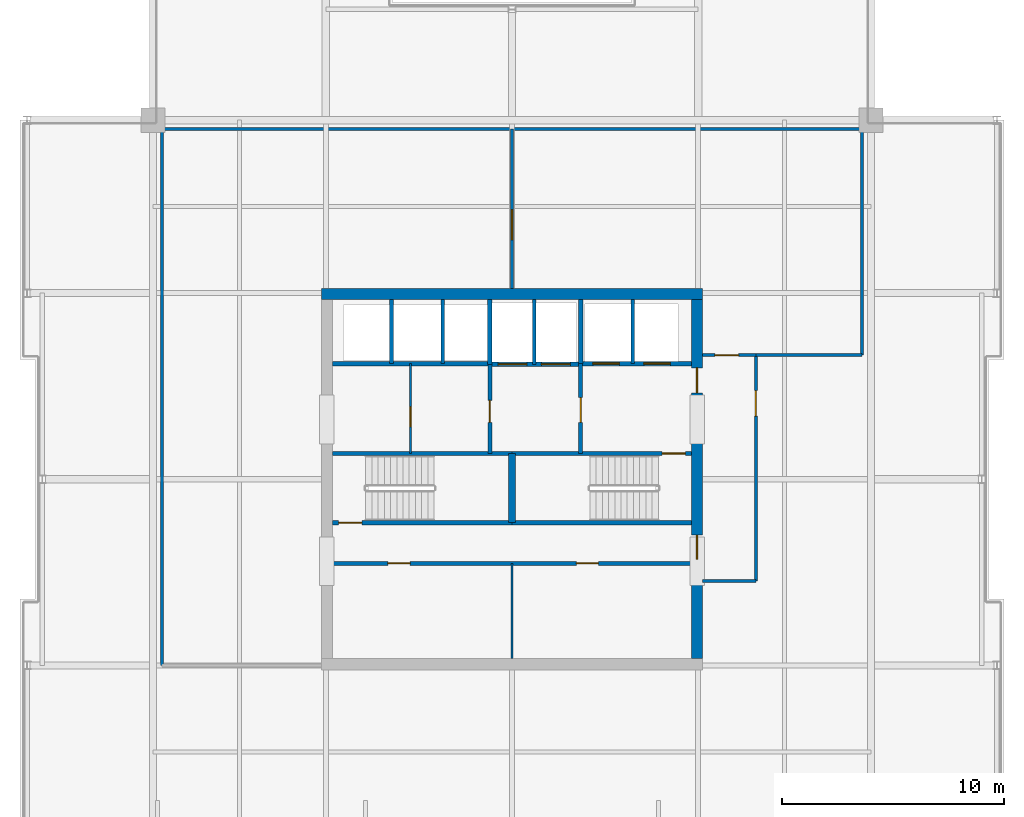
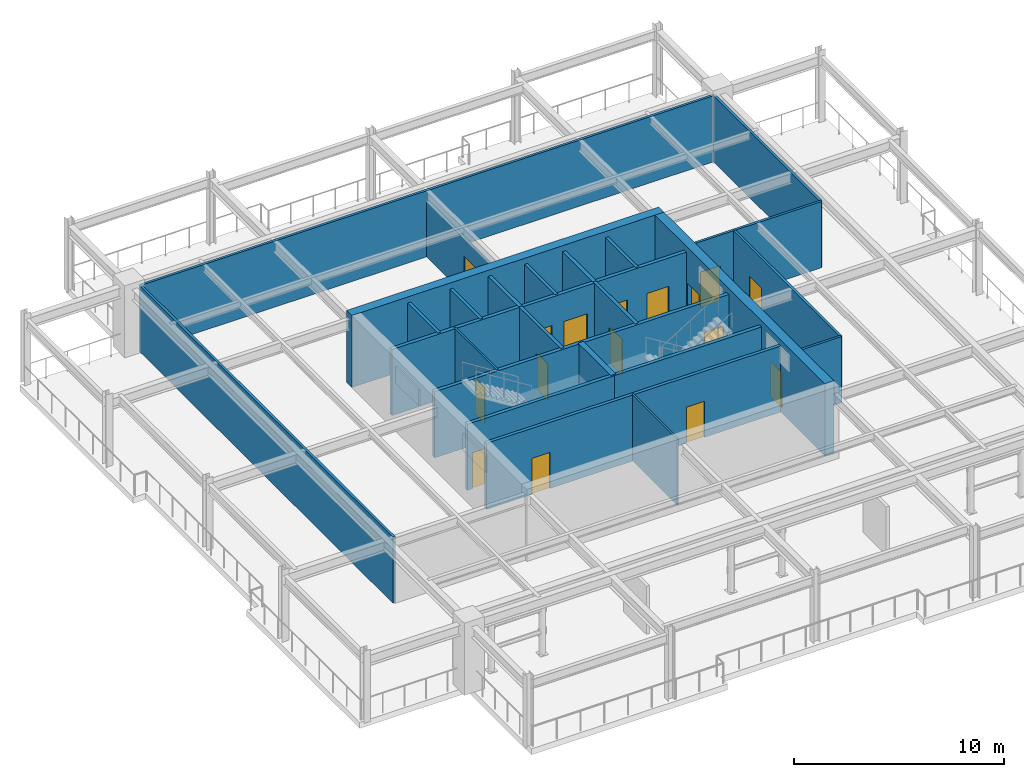
# One storey, part 9 of 13: 29 walls, 16 doors, 16 openings.
"""IFC4 building model written with IfcOpenShell, lengths in metres."""

from ifc_helpers import new_model, si_unit, direction, frame, frame_2d, origin, place, context, subcontext, project, spatial, rectangle, extrude, material, layer, layer_set, type_object, element, fill, save


model = new_model("IFC4")

# Units and contexts
model_context = context("Model", 3, precision=1e-05, world=origin(), true_north=direction((0.0, 1.0)))
body_context = subcontext(model_context, "Body", "Model", "MODEL_VIEW")
ifc_project = project(units=[si_unit("LENGTHUNIT", "METRE"), si_unit("AREAUNIT", "SQUARE_METRE"), si_unit("VOLUMEUNIT", "CUBIC_METRE"), si_unit("PLANEANGLEUNIT", "RADIAN"), si_unit("MASSUNIT", "GRAM", prefix="KILO")], contexts=[model_context])

# Site, building, storey
site_placement = place(None, origin())
site = spatial("IfcSite", under=ifc_project, at=site_placement, CompositionType="ELEMENT")
building_placement = place(site_placement, origin())
building = spatial("IfcBuilding", under=site, at=building_placement, Name="Drelvath Grand Hotel", CompositionType="ELEMENT")
storey_placement = place(building_placement, frame((0.0, 0.0, 303.0)))
storey = spatial("IfcBuildingStorey", under=building, at=storey_placement, Name="L79", CompositionType="ELEMENT", Elevation=303.0)

# Wall, opening, door
ifc_material_1 = material(Name="Gypsum Partition Board")
ifc_layer_1 = layer(ifc_material_1, 0.10009765625)
ifc_layer_set_1 = layer_set([ifc_layer_1], Name="Gypsum Partition Board")
wall_type_1 = type_object("IfcWallType", Name="Core Closet Partition 100", PredefinedType="PARTITIONING", material=ifc_layer_set_1)
wall_1_placement = place(storey_placement, frame((-4.580078125, 28.159912109375, 0.0), z_axis=(0.0, 0.0, 1.0), x_axis=(0.0, 1.0, 0.0)))
wall_1 = element("IfcWall", 1, at=wall_1_placement, inside=storey, type_object=wall_type_1, Name="L79 Core Closet Divider", PredefinedType="PARTITIONING", context=body_context, shape_type="SweptSolid", body=[
    extrude(rectangle(XDim=4.06005859375, YDim=0.10009765625, at=frame_2d((2.030029296875, 0.0))), origin(), (0.0, 0.0, 1.0), 3.85009765625),
])
opening_1_placement = place(wall_1_placement, frame((1.199951171875, 0.0, 0.0)))
opening_1 = element("IfcOpeningElement", 2, at=opening_1_placement, cuts=wall_1, Name="Opening D-L79-010", PredefinedType="OPENING", context=body_context, shape_type="SweptSolid", body=[
    extrude(rectangle(XDim=0.919921875, YDim=2.10009765625, at=frame_2d((0.4599609375, 1.050048828125))), frame((0.0, 0.06005859375, 0.0), z_axis=(0.0, -1.0, 0.0), x_axis=(1.0, 0.0, 0.0)), (0.0, 0.0, 1.0), 0.1201171875),
])
ifc_material_2 = material(Name="Painted Steel S275", Category="steel")
door_type_1 = type_object("IfcDoorType", Name="Staff Utility Door 920x2100", OperationType="NOTDEFINED", PredefinedType="DOOR", material=ifc_material_2)
door_1_placement = place(opening_1_placement, origin())
door_1 = element("IfcDoor", 3, at=door_1_placement, inside=storey, type_object=door_type_1, Name="L79 Electrical Closet Door", OperationType="SINGLE_SWING_RIGHT", OverallHeight=2.10009765625, OverallWidth=0.919921875, PredefinedType="DOOR", context=body_context, shape_type="SweptSolid", body=[
    extrude(rectangle(XDim=0.919921875, YDim=2.10009765625, at=frame_2d((0.4599609375, 1.050048828125))), frame((0.0, 0.02490234375, 0.0), z_axis=(0.0, -1.0, 0.0), x_axis=(1.0, 0.0, 0.0)), (0.0, 0.0, 1.0), 0.050048828125),
])
fill(opening_1, door_1)

# Wall
wall_2_placement = place(storey_placement, frame((0.0, 18.89990234375, 0.0), z_axis=(0.0, 0.0, 1.0), x_axis=(0.0, 1.0, 0.0)))
element("IfcWall", 4, at=wall_2_placement, inside=storey, type_object=wall_type_1, Name="L79 Crown Core Split", PredefinedType="PARTITIONING", context=body_context, shape_type="SweptSolid", body=[
    extrude(rectangle(XDim=4.300048828125, YDim=0.10009765625, at=frame_2d((2.14990234375, 0.0))), origin(), (0.0, 0.0, 1.0), 3.85009765625),
])

# Wall, openings, doors
ifc_material_3 = material(Name="Concrete C40/50", Category="concrete")
ifc_layer_2 = layer(ifc_material_3, 0.199951171875)
ifc_layer_set_2 = layer_set([ifc_layer_2], Name="Concrete C40/50")
wall_type_2 = type_object("IfcWallType", Name="Core Hoistway Fire Wall 200", PredefinedType="SOLIDWALL", material=ifc_layer_set_2)
wall_3_placement = place(storey_placement, frame((3.10009765625, 32.219970703125, 0.0), z_axis=(0.0, 0.0, 1.0), x_axis=(1.0, 0.0, 0.0)))
wall_3 = element("IfcWall", 5, at=wall_3_placement, inside=storey, type_object=wall_type_2, Name="L79 FSAE Hoistway Front Wall", PredefinedType="SOLIDWALL", context=body_context, shape_type="SweptSolid", body=[
    extrude(rectangle(XDim=5.0, YDim=0.199951171875, at=frame_2d((2.5, 0.0))), origin(), (0.0, 0.0, 1.0), 3.85009765625),
])
opening_2_placement = place(wall_3_placement, frame((0.550048828125, 0.0, 0.0)))
opening_2 = element("IfcOpeningElement", 6, at=opening_2_placement, cuts=wall_3, Name="Opening LD-FSAE-1", PredefinedType="OPENING", context=body_context, shape_type="SweptSolid", body=[
    extrude(rectangle(XDim=1.199951171875, YDim=2.199951171875, at=frame_2d((0.60009765625, 1.10009765625))), frame((0.0, 0.10986328125, 0.0), z_axis=(0.0, -1.0, 0.0), x_axis=(1.0, 0.0, 0.0)), (0.0, 0.0, 1.0), 0.219970703125),
])
opening_3_placement = place(wall_3_placement, frame((2.85009765625, 0.0, 0.0)))
opening_3 = element("IfcOpeningElement", 7, at=opening_3_placement, cuts=wall_3, Name="Opening LD-FSAE-2", PredefinedType="OPENING", context=body_context, shape_type="SweptSolid", body=[
    extrude(rectangle(XDim=1.199951171875, YDim=2.199951171875, at=frame_2d((0.60009765625, 1.10009765625))), frame((0.0, 0.10986328125, 0.0), z_axis=(0.0, -1.0, 0.0), x_axis=(1.0, 0.0, 0.0)), (0.0, 0.0, 1.0), 0.219970703125),
])
ifc_material_4 = material(Name="Stainless Steel S355", Category="steel")
door_type_2 = type_object("IfcDoorType", Name="FSAE Lift Sliding Landing Door 1200x2200", OperationType="NOTDEFINED", PredefinedType="DOOR", material=ifc_material_4)
door_2_placement = place(opening_2_placement, origin())
door_2 = element("IfcDoor", 8, at=door_2_placement, inside=storey, type_object=door_type_2, Name="L79 Lift FSAE-1 Landing Door", OperationType="SLIDING_TO_LEFT", OverallHeight=2.199951171875, OverallWidth=1.199951171875, PredefinedType="DOOR", context=body_context, shape_type="SweptSolid", body=[
    extrude(rectangle(XDim=1.199951171875, YDim=2.199951171875, at=frame_2d((0.60009765625, 1.10009765625))), frame((0.0, 0.02490234375, 0.0), z_axis=(0.0, -1.0, 0.0), x_axis=(1.0, 0.0, 0.0)), (0.0, 0.0, 1.0), 0.050048828125),
])
fill(opening_2, door_2)
door_3_placement = place(opening_3_placement, origin())
door_3 = element("IfcDoor", 9, at=door_3_placement, inside=storey, type_object=door_type_2, Name="L79 Lift FSAE-2 Landing Door", OperationType="SLIDING_TO_LEFT", OverallHeight=2.199951171875, OverallWidth=1.199951171875, PredefinedType="DOOR", context=body_context, shape_type="SweptSolid", body=[
    extrude(rectangle(XDim=1.199951171875, YDim=2.199951171875, at=frame_2d((0.60009765625, 1.10009765625))), frame((0.0, 0.02490234375, 0.0), z_axis=(0.0, -1.0, 0.0), x_axis=(1.0, 0.0, 0.0)), (0.0, 0.0, 1.0), 0.050048828125),
])
fill(opening_3, door_3)

# Wall
wall_4_placement = place(storey_placement, frame((3.10009765625, 32.219970703125, 0.0), z_axis=(0.0, 0.0, 1.0), x_axis=(0.0, 1.0, 0.0)))
element("IfcWall", 10, at=wall_4_placement, inside=storey, type_object=wall_type_2, Name="L79 FSAE Hoistway West Wall", PredefinedType="SOLIDWALL", context=body_context, shape_type="SweptSolid", body=[
    extrude(rectangle(XDim=2.880126953125, YDim=0.199951171875, at=frame_2d((1.43994140625, 0.0))), origin(), (0.0, 0.0, 1.0), 3.85009765625),
])

# Wall, openings, doors
wall_5_placement = place(storey_placement, frame((-1.0, 32.179931640625, 0.0), z_axis=(0.0, 0.0, 1.0), x_axis=(1.0, 0.0, 0.0)))
wall_5 = element("IfcWall", 11, at=wall_5_placement, inside=storey, type_object=wall_type_2, Name="L79 Service Lift Hoistway Wall", PredefinedType="SOLIDWALL", context=body_context, shape_type="SweptSolid", body=[
    extrude(rectangle(XDim=4.10009765625, YDim=0.199951171875, at=frame_2d((2.050048828125, 0.0))), origin(), (0.0, 0.0, 1.0), 3.85009765625),
])
opening_4_placement = place(wall_5_placement, frame((0.3701171875, 0.0, 0.0)))
opening_4 = element("IfcOpeningElement", 12, at=opening_4_placement, cuts=wall_5, Name="Opening LD-SV-2", PredefinedType="OPENING", context=body_context, shape_type="SweptSolid", body=[
    extrude(rectangle(XDim=1.300048828125, YDim=2.199951171875, at=frame_2d((0.64990234375, 1.10009765625))), frame((0.0, 0.10986328125, 0.0), z_axis=(0.0, -1.0, 0.0), x_axis=(1.0, 0.0, 0.0)), (0.0, 0.0, 1.0), 0.219970703125),
])
opening_5_placement = place(wall_5_placement, frame((2.330078125, 0.0, 0.0)))
opening_5 = element("IfcOpeningElement", 13, at=opening_5_placement, cuts=wall_5, Name="Opening LD-SV-1", PredefinedType="OPENING", context=body_context, shape_type="SweptSolid", body=[
    extrude(rectangle(XDim=1.300048828125, YDim=2.199951171875, at=frame_2d((0.64990234375, 1.10009765625))), frame((0.0, 0.10986328125, 0.0), z_axis=(0.0, -1.0, 0.0), x_axis=(1.0, 0.0, 0.0)), (0.0, 0.0, 1.0), 0.219970703125),
])
door_type_3 = type_object("IfcDoorType", Name="Service Lift Sliding Landing Door 1300x2200", OperationType="NOTDEFINED", PredefinedType="DOOR", material=ifc_material_4)
door_4_placement = place(opening_4_placement, origin())
door_4 = element("IfcDoor", 14, at=door_4_placement, inside=storey, type_object=door_type_3, Name="L79 Lift SV-2 Landing Door", OperationType="SLIDING_TO_LEFT", OverallHeight=2.199951171875, OverallWidth=1.300048828125, PredefinedType="DOOR", context=body_context, shape_type="SweptSolid", body=[
    extrude(rectangle(XDim=1.300048828125, YDim=2.199951171875, at=frame_2d((0.64990234375, 1.10009765625))), frame((0.0, 0.02490234375, 0.0), z_axis=(0.0, -1.0, 0.0), x_axis=(1.0, 0.0, 0.0)), (0.0, 0.0, 1.0), 0.050048828125),
])
fill(opening_4, door_4)
door_5_placement = place(opening_5_placement, origin())
door_5 = element("IfcDoor", 15, at=door_5_placement, inside=storey, type_object=door_type_3, Name="L79 Lift SV-1 Landing Door", OperationType="SLIDING_TO_LEFT", OverallHeight=2.199951171875, OverallWidth=1.300048828125, PredefinedType="DOOR", context=body_context, shape_type="SweptSolid", body=[
    extrude(rectangle(XDim=1.300048828125, YDim=2.199951171875, at=frame_2d((0.64990234375, 1.10009765625))), frame((0.0, 0.02490234375, 0.0), z_axis=(0.0, -1.0, 0.0), x_axis=(1.0, 0.0, 0.0)), (0.0, 0.0, 1.0), 0.050048828125),
])
fill(opening_5, door_5)

# Walls
wall_6_placement = place(storey_placement, frame((-1.0, 32.179931640625, 0.0), z_axis=(0.0, 0.0, 1.0), x_axis=(0.0, 1.0, 0.0)))
element("IfcWall", 16, at=wall_6_placement, inside=storey, type_object=wall_type_2, Name="L79 Service Lift West Wall", PredefinedType="SOLIDWALL", context=body_context, shape_type="SweptSolid", body=[
    extrude(rectangle(XDim=2.920166015625, YDim=0.199951171875, at=frame_2d((1.4599609375, 0.0))), origin(), (0.0, 0.0, 1.0), 3.85009765625),
])
wall_7_placement = place(storey_placement, frame((-8.10009765625, 32.219970703125, 0.0), z_axis=(0.0, 0.0, 1.0), x_axis=(1.0, 0.0, 0.0)))
element("IfcWall", 17, at=wall_7_placement, inside=storey, type_object=wall_type_2, Name="L79 Bank 3 Hoistway Wall", PredefinedType="SOLIDWALL", context=body_context, shape_type="SweptSolid", body=[
    extrude(rectangle(XDim=7.10009765625, YDim=0.199951171875, at=frame_2d((3.550048828125, 0.0))), origin(), (0.0, 0.0, 1.0), 3.85009765625),
])

# Wall, opening, door
ifc_layer_3 = layer(ifc_material_3, 0.199951171875)
ifc_layer_set_3 = layer_set([ifc_layer_3], Name="Concrete C40/50")
wall_type_3 = type_object("IfcWallType", Name="Core Shaft Fire Wall 200", PredefinedType="SOLIDWALL", material=ifc_layer_set_3)
wall_8_placement = place(storey_placement, frame((-8.10009765625, 25.0400390625, 0.0), z_axis=(0.0, 0.0, 1.0), x_axis=(1.0, 0.0, 0.0)))
wall_8 = element("IfcWall", 18, at=wall_8_placement, inside=storey, type_object=wall_type_3, Name="L79 Stair ST-1 South Wall", PredefinedType="SOLIDWALL", context=body_context, shape_type="SweptSolid", body=[
    extrude(rectangle(XDim=8.10009765625, YDim=0.199951171875, at=frame_2d((4.050048828125, 0.0))), origin(), (0.0, 0.0, 1.0), 3.85009765625),
])
opening_6_placement = place(wall_8_placement, frame((0.280029296875, 0.0, 0.0)))
opening_6 = element("IfcOpeningElement", 19, at=opening_6_placement, cuts=wall_8, Name="Opening D-L79-001", PredefinedType="OPENING", context=body_context, shape_type="SweptSolid", body=[
    extrude(rectangle(XDim=1.050048828125, YDim=2.10009765625, at=frame_2d((0.52490234375, 1.050048828125))), frame((0.0, 0.10986328125, 0.0), z_axis=(0.0, -1.0, 0.0), x_axis=(1.0, 0.0, 0.0)), (0.0, 0.0, 1.0), 0.219970703125),
])
door_type_4 = type_object("IfcDoorType", Name="Tower Stairwell Fire Door 1050x2100", OperationType="NOTDEFINED", PredefinedType="DOOR", material=ifc_material_2)
door_6_placement = place(opening_6_placement, origin())
door_6 = element("IfcDoor", 20, at=door_6_placement, inside=storey, type_object=door_type_4, Name="L79 Exit Stair ST-1 Door", OperationType="SINGLE_SWING_LEFT", OverallHeight=2.10009765625, OverallWidth=1.050048828125, PredefinedType="DOOR", context=body_context, shape_type="SweptSolid", body=[
    extrude(rectangle(XDim=1.050048828125, YDim=2.10009765625, at=frame_2d((0.52490234375, 1.050048828125))), frame((0.0, 0.02490234375, 0.0), z_axis=(0.0, -1.0, 0.0), x_axis=(1.0, 0.0, 0.0)), (0.0, 0.0, 1.0), 0.050048828125),
])
fill(opening_6, door_6)

# Walls
for number, where, z_axis, x_axis, name in (
    (21, (-8.10009765625, 28.159912109375, 0.0), (0.0, 0.0, 1.0), (1.0, 0.0, 0.0), "L79 Stair ST-1 North Wall"),
    (22, (0.0, 25.0400390625, 0.0), (0.0, 0.0, 1.0), (1.0, 0.0, 0.0), "L79 Stair ST-2 South Wall"),
):
    element("IfcWall", number, at=place(storey_placement, frame(where, z_axis=z_axis, x_axis=x_axis)), inside=storey, type_object=wall_type_3, Name=name, PredefinedType="SOLIDWALL", context=body_context, shape_type="SweptSolid", body=[
        extrude(rectangle(XDim=8.10009765625, YDim=0.199951171875, at=frame_2d((4.050048828125, 0.0))), origin(), (0.0, 0.0, 1.0), 3.85009765625),
    ])

# Wall, opening, door
wall_9_placement = place(storey_placement, frame((8.10009765625, 28.159912109375, 0.0), z_axis=(0.0, 0.0, 1.0), x_axis=(-1.0, 0.0, 0.0)))
wall_9 = element("IfcWall", 23, at=wall_9_placement, inside=storey, type_object=wall_type_3, Name="L79 Stair ST-2 North Wall", PredefinedType="SOLIDWALL", context=body_context, shape_type="SweptSolid", body=[
    extrude(rectangle(XDim=8.10009765625, YDim=0.199951171875, at=frame_2d((4.050048828125, 0.0))), origin(), (0.0, 0.0, 1.0), 3.85009765625),
])
opening_7_placement = place(wall_9_placement, frame((0.280029296875, 0.0, 0.0)))
opening_7 = element("IfcOpeningElement", 24, at=opening_7_placement, cuts=wall_9, Name="Opening D-L79-002", PredefinedType="OPENING", context=body_context, shape_type="SweptSolid", body=[
    extrude(rectangle(XDim=1.050048828125, YDim=2.10009765625, at=frame_2d((0.52490234375, 1.050048828125))), frame((0.0, 0.10986328125, 0.0), z_axis=(0.0, -1.0, 0.0), x_axis=(1.0, 0.0, 0.0)), (0.0, 0.0, 1.0), 0.219970703125),
])
door_7_placement = place(opening_7_placement, origin())
door_7 = element("IfcDoor", 25, at=door_7_placement, inside=storey, type_object=door_type_4, Name="L79 Exit Stair ST-2 Door", OperationType="SINGLE_SWING_LEFT", OverallHeight=2.10009765625, OverallWidth=1.050048828125, PredefinedType="DOOR", context=body_context, shape_type="SweptSolid", body=[
    extrude(rectangle(XDim=1.050048828125, YDim=2.10009765625, at=frame_2d((0.52490234375, 1.050048828125))), frame((0.0, 0.02490234375, 0.0), z_axis=(0.0, -1.0, 0.0), x_axis=(1.0, 0.0, 0.0)), (0.0, 0.0, 1.0), 0.050048828125),
])
fill(opening_7, door_7)

# Walls
ifc_layer_4 = layer(ifc_material_3, 0.300048828125)
ifc_layer_set_4 = layer_set([ifc_layer_4], Name="Concrete C40/50")
wall_type_4 = type_object("IfcWallType", Name="Core Shaft Fire Wall 300", PredefinedType="SOLIDWALL", material=ifc_layer_set_4)
wall_10_placement = place(storey_placement, frame((0.0, 25.0400390625, 0.0), z_axis=(0.0, 0.0, 1.0), x_axis=(0.0, 1.0, 0.0)))
element("IfcWall", 26, at=wall_10_placement, inside=storey, type_object=wall_type_4, Name="L79 Core Stair Divider Wall", PredefinedType="SOLIDWALL", context=body_context, shape_type="SweptSolid", body=[
    extrude(rectangle(XDim=3.119873046875, YDim=0.300048828125, at=frame_2d((1.56005859375, 0.0))), origin(), (0.0, 0.0, 1.0), 3.85009765625),
])
ifc_material_5 = material(Name="Gypsum Fireboard Partition")
ifc_layer_5 = layer(ifc_material_5, 0.1650390625)
ifc_layer_set_5 = layer_set([ifc_layer_5], Name="Gypsum Fireboard Partition")
wall_type_5 = type_object("IfcWallType", Name="Core Shaft Partition 165", PredefinedType="PARTITIONING", material=ifc_layer_set_5)
wall_11_placement = place(storey_placement, frame((5.449951171875, 32.219970703125, 0.0), z_axis=(0.0, 0.0, 1.0), x_axis=(0.0, 1.0, 0.0)))
element("IfcWall", 27, at=wall_11_placement, inside=storey, type_object=wall_type_5, Name="L79 FSAE Hoistway Divider", PredefinedType="PARTITIONING", context=body_context, shape_type="SweptSolid", body=[
    extrude(rectangle(XDim=2.880126953125, YDim=0.1650390625, at=frame_2d((1.43994140625, 0.0))), origin(), (0.0, 0.0, 1.0), 3.85009765625),
])
wall_12_placement = place(storey_placement, frame((1.0, 32.179931640625, 0.0), z_axis=(0.0, 0.0, 1.0), x_axis=(0.0, 1.0, 0.0)))
element("IfcWall", 28, at=wall_12_placement, inside=storey, type_object=wall_type_5, Name="L79 Service Lift Divider", PredefinedType="PARTITIONING", context=body_context, shape_type="SweptSolid", body=[
    extrude(rectangle(XDim=2.920166015625, YDim=0.1650390625, at=frame_2d((1.4599609375, 0.0))), origin(), (0.0, 0.0, 1.0), 3.85009765625),
])
for number, where, z_axis, x_axis, name in (
    (29, (-5.43994140625, 32.219970703125, 0.0), (0.0, 0.0, 1.0), (0.0, 1.0, 0.0), "L79 Lift PE-7/8 Divider"),
    (30, (-3.1201171875, 32.219970703125, 0.0), (0.0, 0.0, 1.0), (0.0, 1.0, 0.0), "L79 Lift PE-8/9 Divider"),
):
    element("IfcWall", number, at=place(storey_placement, frame(where, z_axis=z_axis, x_axis=x_axis)), inside=storey, type_object=wall_type_5, Name=name, PredefinedType="PARTITIONING", context=body_context, shape_type="SweptSolid", body=[
        extrude(rectangle(XDim=2.880126953125, YDim=0.1650390625, at=frame_2d((1.43994140625, 0.0))), origin(), (0.0, 0.0, 1.0), 3.85009765625),
    ])
ifc_layer_6 = layer(ifc_material_5, 0.135009765625)
ifc_layer_set_6 = layer_set([ifc_layer_6], Name="Gypsum Fireboard Partition")
wall_type_6 = type_object("IfcWallType", Name="Corridor Fire Barrier Wall 135", PredefinedType="PARTITIONING", material=ifc_layer_set_6)
wall_13_placement = place(storey_placement, frame((8.60009765625, 22.39990234375, 0.0), z_axis=(0.0, 0.0, 1.0), x_axis=(1.0, 0.0, 0.0)))
element("IfcWall", 31, at=wall_13_placement, inside=storey, type_object=wall_type_6, Name="L79 Turbine Vestibule South Wall", PredefinedType="PARTITIONING", context=body_context, shape_type="SweptSolid", body=[
    extrude(rectangle(XDim=2.39990234375, YDim=0.135009765625, at=frame_2d((1.199951171875, 0.0))), origin(), (0.0, 0.0, 1.0), 3.85009765625),
])

# Wall, opening, door
wall_14_placement = place(storey_placement, frame((8.60009765625, 32.60009765625, 0.0), z_axis=(0.0, 0.0, 1.0), x_axis=(1.0, 0.0, 0.0)))
wall_14 = element("IfcWall", 32, at=wall_14_placement, inside=storey, type_object=wall_type_6, Name="L79 Turbine Vestibule North Wall", PredefinedType="PARTITIONING", context=body_context, shape_type="SweptSolid", body=[
    extrude(rectangle(XDim=2.39990234375, YDim=0.135009765625, at=frame_2d((1.199951171875, 0.0))), origin(), (0.0, 0.0, 1.0), 3.85009765625),
])
opening_8_placement = place(wall_14_placement, frame((0.550048828125, 0.0, 0.0)))
opening_8 = element("IfcOpeningElement", 33, at=opening_8_placement, cuts=wall_14, Name="Opening D-L79-015", PredefinedType="OPENING", context=body_context, shape_type="SweptSolid", body=[
    extrude(rectangle(XDim=1.080078125, YDim=2.0400390625, at=frame_2d((0.5400390625, 1.02001953125))), frame((0.0, 0.077392578125, 0.0), z_axis=(0.0, -1.0, 0.0), x_axis=(1.0, 0.0, 0.0)), (0.0, 0.0, 1.0), 0.155029296875),
])
door_type_5 = type_object("IfcDoorType", Name="Core Corridor Fire Door 1080x2100", OperationType="NOTDEFINED", PredefinedType="DOOR", material=ifc_material_2)
door_8_placement = place(opening_8_placement, origin())
door_8 = element("IfcDoor", 34, at=door_8_placement, inside=storey, type_object=door_type_5, Name="L79 Turbine Switchgear Vestibule Door", OperationType="SINGLE_SWING_LEFT", OverallHeight=2.0400390625, OverallWidth=1.080078125, PredefinedType="DOOR", context=body_context, shape_type="SweptSolid", body=[
    extrude(rectangle(XDim=1.080078125, YDim=2.0400390625, at=frame_2d((0.5400390625, 1.02001953125))), frame((0.0, 0.02490234375, 0.0), z_axis=(0.0, -1.0, 0.0), x_axis=(1.0, 0.0, 0.0)), (0.0, 0.0, 1.0), 0.050048828125),
])
fill(opening_8, door_8)

wall_15_placement = place(storey_placement, frame((11.0, 32.60009765625, 0.0), z_axis=(0.0, 0.0, 1.0), x_axis=(0.0, -1.0, 0.0)))
wall_15 = element("IfcWall", 35, at=wall_15_placement, inside=storey, type_object=wall_type_6, Name="L79 Turbine Vestibule East Weather Wall", PredefinedType="PARTITIONING", context=body_context, shape_type="SweptSolid", body=[
    extrude(rectangle(XDim=10.2001953125, YDim=0.135009765625, at=frame_2d((5.10009765625, 0.0))), origin(), (0.0, 0.0, 1.0), 3.85009765625),
])
opening_9_placement = place(wall_15_placement, frame((1.60009765625, 0.0, 0.0)))
opening_9 = element("IfcOpeningElement", 36, at=opening_9_placement, cuts=wall_15, Name="Opening D-L79-016", PredefinedType="OPENING", context=body_context, shape_type="SweptSolid", body=[
    extrude(rectangle(XDim=1.14990234375, YDim=2.14990234375, at=frame_2d((0.574951171875, 1.074951171875))), frame((0.0, 0.077392578125, 0.0), z_axis=(0.0, -1.0, 0.0), x_axis=(1.0, 0.0, 0.0)), (0.0, 0.0, 1.0), 0.155029296875),
])
door_type_6 = type_object("IfcDoorType", Name="Podium Stairwell Fire Door 1150x2150", OperationType="NOTDEFINED", PredefinedType="DOOR", material=ifc_material_2)
door_9_placement = place(opening_9_placement, origin())
door_9 = element("IfcDoor", 37, at=door_9_placement, inside=storey, type_object=door_type_6, Name="L79 Turbine Deck Weatherproof Door", OperationType="SINGLE_SWING_LEFT", OverallHeight=2.14990234375, OverallWidth=1.14990234375, PredefinedType="DOOR", context=body_context, shape_type="SweptSolid", body=[
    extrude(rectangle(XDim=1.14990234375, YDim=2.14990234375, at=frame_2d((0.574951171875, 1.074951171875))), frame((0.0, 0.02490234375, 0.0), z_axis=(0.0, -1.0, 0.0), x_axis=(1.0, 0.0, 0.0)), (0.0, 0.0, 1.0), 0.050048828125),
])
fill(opening_9, door_9)

# Walls
wall_16_placement = place(storey_placement, frame((-15.800048828125, 18.60009765625, 0.0), z_axis=(0.0, 0.0, 1.0), x_axis=(0.0, 1.0, 0.0)))
element("IfcWall", 38, at=wall_16_placement, inside=storey, type_object=wall_type_6, Name="L79 Turbine Plant West Wall", PredefinedType="PARTITIONING", context=body_context, shape_type="SweptSolid", body=[
    extrude(rectangle(XDim=24.199951171875, YDim=0.135009765625, at=frame_2d((12.10009765625, 0.0))), origin(), (0.0, 0.0, 1.0), 3.85009765625),
])
wall_17_placement = place(storey_placement, frame((-15.800048828125, 42.800048828125, 0.0), z_axis=(0.0, 0.0, 1.0), x_axis=(1.0, 0.0, 0.0)))
element("IfcWall", 39, at=wall_17_placement, inside=storey, type_object=wall_type_6, Name="L79 Turbine Plant North Wall", PredefinedType="PARTITIONING", context=body_context, shape_type="SweptSolid", body=[
    extrude(rectangle(XDim=31.60009765625, YDim=0.135009765625, at=frame_2d((15.800048828125, 0.0))), origin(), (0.0, 0.0, 1.0), 3.85009765625),
])
wall_18_placement = place(storey_placement, frame((15.800048828125, 32.60009765625, 0.0), z_axis=(0.0, 0.0, 1.0), x_axis=(0.0, 1.0, 0.0)))
element("IfcWall", 40, at=wall_18_placement, inside=storey, type_object=wall_type_6, Name="L79 Turbine Plant NE Wall", PredefinedType="PARTITIONING", context=body_context, shape_type="SweptSolid", body=[
    extrude(rectangle(XDim=10.199951171875, YDim=0.135009765625, at=frame_2d((5.10009765625, 0.0))), origin(), (0.0, 0.0, 1.0), 3.85009765625),
])
wall_19_placement = place(storey_placement, frame((11.0, 32.60009765625, 0.0), z_axis=(0.0, 0.0, 1.0), x_axis=(1.0, 0.0, 0.0)))
element("IfcWall", 41, at=wall_19_placement, inside=storey, type_object=wall_type_6, Name="L79 Turbine Plant SE Wall", PredefinedType="PARTITIONING", context=body_context, shape_type="SweptSolid", body=[
    extrude(rectangle(XDim=4.800048828125, YDim=0.135009765625, at=frame_2d((2.39990234375, 0.0))), origin(), (0.0, 0.0, 1.0), 3.85009765625),
])

# Wall, opening, door
wall_20_placement = place(storey_placement, frame((0.0, 35.60009765625, 0.0), z_axis=(0.0, 0.0, 1.0), x_axis=(0.0, 1.0, 0.0)))
wall_20 = element("IfcWall", 42, at=wall_20_placement, inside=storey, type_object=wall_type_6, Name="L79 Turbine Plant North Split", PredefinedType="PARTITIONING", context=body_context, shape_type="SweptSolid", body=[
    extrude(rectangle(XDim=7.199951171875, YDim=0.135009765625, at=frame_2d((3.60009765625, 0.0))), origin(), (0.0, 0.0, 1.0), 3.227294921875),
])
opening_10_placement = place(wall_20_placement, frame((2.199951171875, 0.0, 0.0)))
opening_10 = element("IfcOpeningElement", 43, at=opening_10_placement, cuts=wall_20, Name="Opening D-L79-014", PredefinedType="OPENING", context=body_context, shape_type="SweptSolid", body=[
    extrude(rectangle(XDim=1.360107421875, YDim=2.199951171875, at=frame_2d((0.68017578125, 1.10009765625))), frame((0.0, 0.077392578125, 0.0), z_axis=(0.0, -1.0, 0.0), x_axis=(1.0, 0.0, 0.0)), (0.0, 0.0, 1.0), 0.155029296875),
])
door_type_7 = type_object("IfcDoorType", Name="Plant Equipment Double Fire Door 1360x2200", OperationType="NOTDEFINED", PredefinedType="DOOR", material=ifc_material_2)
door_10_placement = place(opening_10_placement, origin())
door_10 = element("IfcDoor", 44, at=door_10_placement, inside=storey, type_object=door_type_7, Name="L79 Turbine Inverter Connecting Door", OperationType="SINGLE_SWING_RIGHT", OverallHeight=2.199951171875, OverallWidth=1.360107421875, PredefinedType="DOOR", context=body_context, shape_type="SweptSolid", body=[
    extrude(rectangle(XDim=1.360107421875, YDim=2.199951171875, at=frame_2d((0.68017578125, 1.10009765625))), frame((0.0, 0.02490234375, 0.0), z_axis=(0.0, -1.0, 0.0), x_axis=(1.0, 0.0, 0.0)), (0.0, 0.0, 1.0), 0.050048828125),
])
fill(opening_10, door_10)

ifc_layer_7 = layer(ifc_material_5, 0.179931640625)
ifc_layer_set_7 = layer_set([ifc_layer_7], Name="Gypsum Fireboard Partition")
wall_type_7 = type_object("IfcWallType", Name="FSAE Smoke Lobby Fire Wall 180", PredefinedType="SOLIDWALL", material=ifc_layer_set_7)
wall_21_placement = place(storey_placement, frame((3.10009765625, 28.159912109375, 0.0), z_axis=(0.0, 0.0, 1.0), x_axis=(0.0, 1.0, 0.0)))
wall_21 = element("IfcWall", 45, at=wall_21_placement, inside=storey, type_object=wall_type_7, Name="L79 FSAE Smoke Lobby West Wall", PredefinedType="SOLIDWALL", context=body_context, shape_type="SweptSolid", body=[
    extrude(rectangle(XDim=4.06005859375, YDim=0.179931640625, at=frame_2d((2.030029296875, 0.0))), origin(), (0.0, 0.0, 1.0), 3.85009765625),
])
opening_11_placement = place(wall_21_placement, frame((1.39990234375, 0.0, 0.0)))
opening_11 = element("IfcOpeningElement", 46, at=opening_11_placement, cuts=wall_21, Name="Opening D-L79-005", PredefinedType="OPENING", context=body_context, shape_type="SweptSolid", body=[
    extrude(rectangle(XDim=1.1201171875, YDim=2.10009765625, at=frame_2d((0.56005859375, 1.050048828125))), frame((0.0, 0.099853515625, 0.0), z_axis=(0.0, -1.0, 0.0), x_axis=(1.0, 0.0, 0.0)), (0.0, 0.0, 1.0), 0.199951171875),
])
door_type_8 = type_object("IfcDoorType", Name="FSAE Smoke Lobby Fire Door 1120x2100", OperationType="NOTDEFINED", PredefinedType="DOOR", material=ifc_material_2)
door_11_placement = place(opening_11_placement, origin())
door_11 = element("IfcDoor", 47, at=door_11_placement, inside=storey, type_object=door_type_8, Name="L79 FSAE Lobby Service Vestibule Door", OperationType="SINGLE_SWING_RIGHT", OverallHeight=2.10009765625, OverallWidth=1.1201171875, PredefinedType="DOOR", context=body_context, shape_type="SweptSolid", body=[
    extrude(rectangle(XDim=1.1201171875, YDim=2.10009765625, at=frame_2d((0.56005859375, 1.050048828125))), frame((0.0, 0.02490234375, 0.0), z_axis=(0.0, -1.0, 0.0), x_axis=(1.0, 0.0, 0.0)), (0.0, 0.0, 1.0), 0.050048828125),
])
fill(opening_11, door_11)

wall_22_placement = place(storey_placement, frame((-1.0, 28.159912109375, 0.0), z_axis=(0.0, 0.0, 1.0), x_axis=(0.0, 1.0, 0.0)))
wall_22 = element("IfcWall", 48, at=wall_22_placement, inside=storey, type_object=wall_type_7, Name="L79 Service Vestibule West Wall", PredefinedType="SOLIDWALL", context=body_context, shape_type="SweptSolid", body=[
    extrude(rectangle(XDim=4.02001953125, YDim=0.179931640625, at=frame_2d((2.010009765625, 0.0))), origin(), (0.0, 0.0, 1.0), 3.85009765625),
])
opening_12_placement = place(wall_22_placement, frame((1.39990234375, 0.0, 0.0)))
opening_12 = element("IfcOpeningElement", 49, at=opening_12_placement, cuts=wall_22, Name="Opening D-L79-009", PredefinedType="OPENING", context=body_context, shape_type="SweptSolid", body=[
    extrude(rectangle(XDim=1.0, YDim=2.10009765625, at=frame_2d((0.5, 1.050048828125))), frame((0.0, 0.099853515625, 0.0), z_axis=(0.0, -1.0, 0.0), x_axis=(1.0, 0.0, 0.0)), (0.0, 0.0, 1.0), 0.199951171875),
])
door_type_9 = type_object("IfcDoorType", Name="Core Service Fire Door 1000x2100", OperationType="NOTDEFINED", PredefinedType="DOOR", material=ifc_material_2)
door_12_placement = place(opening_12_placement, origin())
door_12 = element("IfcDoor", 50, at=door_12_placement, inside=storey, type_object=door_type_9, Name="L79 Service Vestibule West Door", OperationType="SINGLE_SWING_LEFT", OverallHeight=2.10009765625, OverallWidth=1.0, PredefinedType="DOOR", context=body_context, shape_type="SweptSolid", body=[
    extrude(rectangle(XDim=1.0, YDim=2.10009765625, at=frame_2d((0.5, 1.050048828125))), frame((0.0, 0.02490234375, 0.0), z_axis=(0.0, -1.0, 0.0), x_axis=(1.0, 0.0, 0.0)), (0.0, 0.0, 1.0), 0.050048828125),
])
fill(opening_12, door_12)

# Wall, openings, doors
wall_23_placement = place(storey_placement, frame((-8.10009765625, 23.199951171875, 0.0), z_axis=(0.0, 0.0, 1.0), x_axis=(1.0, 0.0, 0.0)))
wall_23 = element("IfcWall", 51, at=wall_23_placement, inside=storey, type_object=wall_type_7, Name="L79 Upper Reclaimed Core Wall", PredefinedType="SOLIDWALL", context=body_context, shape_type="SweptSolid", body=[
    extrude(rectangle(XDim=16.2001953125, YDim=0.179931640625, at=frame_2d((8.10009765625, 0.0))), origin(), (0.0, 0.0, 1.0), 3.85009765625),
])
opening_13_placement = place(wall_23_placement, frame((2.5, 0.0, 0.0)))
opening_13 = element("IfcOpeningElement", 52, at=opening_13_placement, cuts=wall_23, Name="Opening D-L79-012", PredefinedType="OPENING", context=body_context, shape_type="SweptSolid", body=[
    extrude(rectangle(XDim=1.0, YDim=2.10009765625, at=frame_2d((0.5, 1.050048828125))), frame((0.0, 0.099853515625, 0.0), z_axis=(0.0, -1.0, 0.0), x_axis=(1.0, 0.0, 0.0)), (0.0, 0.0, 1.0), 0.199951171875),
])
opening_14_placement = place(wall_23_placement, frame((11.0, 0.0, 0.0)))
opening_14 = element("IfcOpeningElement", 53, at=opening_14_placement, cuts=wall_23, Name="Opening D-L79-013", PredefinedType="OPENING", context=body_context, shape_type="SweptSolid", body=[
    extrude(rectangle(XDim=1.0, YDim=2.10009765625, at=frame_2d((0.5, 1.050048828125))), frame((0.0, 0.099853515625, 0.0), z_axis=(0.0, -1.0, 0.0), x_axis=(1.0, 0.0, 0.0)), (0.0, 0.0, 1.0), 0.199951171875),
])
door_13_placement = place(opening_13_placement, origin())
door_13 = element("IfcDoor", 54, at=door_13_placement, inside=storey, type_object=door_type_9, Name="L79 Switchroom Door", OperationType="SINGLE_SWING_RIGHT", OverallHeight=2.10009765625, OverallWidth=1.0, PredefinedType="DOOR", context=body_context, shape_type="SweptSolid", body=[
    extrude(rectangle(XDim=1.0, YDim=2.10009765625, at=frame_2d((0.5, 1.050048828125))), frame((0.0, 0.02490234375, 0.0), z_axis=(0.0, -1.0, 0.0), x_axis=(1.0, 0.0, 0.0)), (0.0, 0.0, 1.0), 0.050048828125),
])
fill(opening_13, door_13)
door_14_placement = place(opening_14_placement, origin())
door_14 = element("IfcDoor", 55, at=door_14_placement, inside=storey, type_object=door_type_9, Name="L79 UPS Room Door", OperationType="SINGLE_SWING_LEFT", OverallHeight=2.10009765625, OverallWidth=1.0, PredefinedType="DOOR", context=body_context, shape_type="SweptSolid", body=[
    extrude(rectangle(XDim=1.0, YDim=2.10009765625, at=frame_2d((0.5, 1.050048828125))), frame((0.0, 0.02490234375, 0.0), z_axis=(0.0, -1.0, 0.0), x_axis=(1.0, 0.0, 0.0)), (0.0, 0.0, 1.0), 0.050048828125),
])
fill(opening_14, door_14)

# Wall
ifc_material_6 = material(Name="Concrete f'c 55 MPa", Category="concrete")
ifc_layer_8 = layer(ifc_material_6, 0.5)
ifc_layer_set_8 = layer_set([ifc_layer_8], Name="Concrete f'c 55 MPa")
wall_type_8 = type_object("IfcWallType", Name="Upper Core RC Shear Wall 500", PredefinedType="SHEAR", material=ifc_layer_set_8)
wall_24_placement = place(storey_placement, frame((-8.60009765625, 35.35009765625, 0.0), z_axis=(0.0, 0.0, 1.0), x_axis=(1.0, 0.0, 0.0)))
element("IfcWall", 56, at=wall_24_placement, inside=storey, type_object=wall_type_8, Name="L79 Central Core Shear Wall N", PredefinedType="SHEAR", context=body_context, shape_type="SweptSolid", body=[
    extrude(rectangle(XDim=17.2001953125, YDim=0.5, at=frame_2d((8.60009765625, 0.0))), origin(), (0.0, 0.0, 1.0), 4.199951171875),
])

# Wall, openings, doors
wall_25_placement = place(storey_placement, frame((8.35009765625, 35.10009765625, 0.0), z_axis=(0.0, 0.0, 1.0), x_axis=(0.0, -1.0, 0.0)))
wall_25 = element("IfcWall", 57, at=wall_25_placement, inside=storey, type_object=wall_type_8, Name="L79 Central Core Shear Wall E", PredefinedType="SHEAR", context=body_context, shape_type="SweptSolid", body=[
    extrude(rectangle(XDim=16.2001953125, YDim=0.5, at=frame_2d((8.10009765625, 0.0))), origin(), (0.0, 0.0, 1.0), 4.199951171875),
])
opening_15_placement = place(wall_25_placement, frame((3.080078125, 0.0, 0.0)))
opening_15 = element("IfcOpeningElement", 58, at=opening_15_placement, cuts=wall_25, Name="Opening D-L79-006", PredefinedType="OPENING", context=body_context, shape_type="SweptSolid", body=[
    extrude(rectangle(XDim=1.1201171875, YDim=2.10009765625, at=frame_2d((0.56005859375, 1.050048828125))), frame((0.0, 0.260009765625, 0.0), z_axis=(0.0, -1.0, 0.0), x_axis=(1.0, 0.0, 0.0)), (0.0, 0.0, 1.0), 0.52001953125),
])
opening_16_placement = place(wall_25_placement, frame((10.6201171875, 0.0, 0.0)))
opening_16 = element("IfcOpeningElement", 59, at=opening_16_placement, cuts=wall_25, Name="Opening D-L79-011", PredefinedType="OPENING", context=body_context, shape_type="SweptSolid", body=[
    extrude(rectangle(XDim=1.080078125, YDim=2.0400390625, at=frame_2d((0.5400390625, 1.02001953125))), frame((0.0, 0.260009765625, 0.0), z_axis=(0.0, -1.0, 0.0), x_axis=(1.0, 0.0, 0.0)), (0.0, 0.0, 1.0), 0.52001953125),
])
door_15_placement = place(opening_16_placement, origin())
door_15 = element("IfcDoor", 60, at=door_15_placement, inside=storey, type_object=door_type_5, Name="L79 Core Passage East Door", OperationType="SINGLE_SWING_LEFT", OverallHeight=2.0400390625, OverallWidth=1.080078125, PredefinedType="DOOR", context=body_context, shape_type="SweptSolid", body=[
    extrude(rectangle(XDim=1.080078125, YDim=2.0400390625, at=frame_2d((0.5400390625, 1.02001953125))), frame((0.0, 0.02490234375, 0.0), z_axis=(0.0, -1.0, 0.0), x_axis=(1.0, 0.0, 0.0)), (0.0, 0.0, 1.0), 0.050048828125),
])
fill(opening_16, door_15)
door_16_placement = place(opening_15_placement, origin())
door_16 = element("IfcDoor", 61, at=door_16_placement, inside=storey, type_object=door_type_8, Name="L79 FSAE Lobby East Corridor Door", OperationType="SINGLE_SWING_LEFT", OverallHeight=2.10009765625, OverallWidth=1.1201171875, PredefinedType="DOOR", context=body_context, shape_type="SweptSolid", body=[
    extrude(rectangle(XDim=1.1201171875, YDim=2.10009765625, at=frame_2d((0.56005859375, 1.050048828125))), frame((0.0, 0.02490234375, 0.0), z_axis=(0.0, -1.0, 0.0), x_axis=(1.0, 0.0, 0.0)), (0.0, 0.0, 1.0), 0.050048828125),
])
fill(opening_15, door_16)

save(model, "model.ifc")
